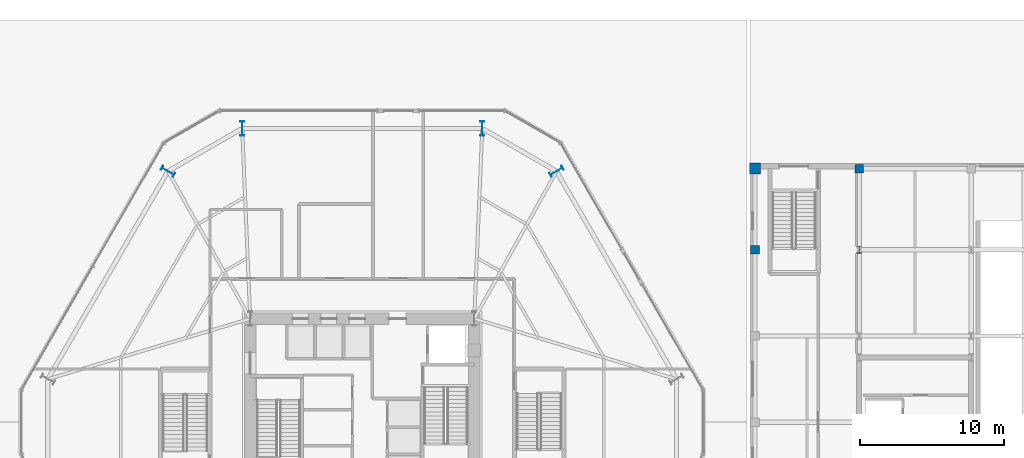
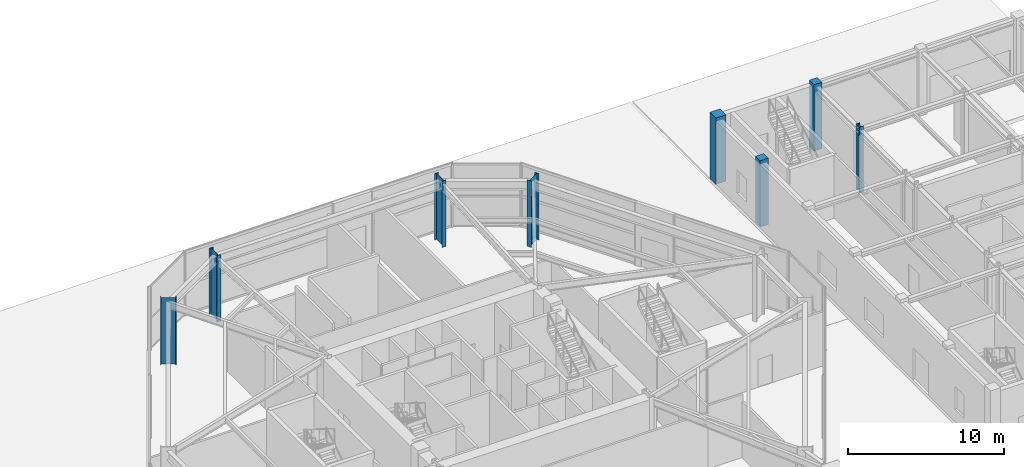
# One storey, part 3 of 26: 8 columns.
"""IFC4 building model written with IfcOpenShell, lengths in metres."""

import ifcopenshell
import ifcopenshell.guid

model = None  # the IFC model being written
_history = None  # IfcOwnerHistory: only IFC2X3 demands one
_inside = {}  # id of a spatial element -> (the spatial element, [elements in it])
_under = {}  # id of a project, library or spatial element -> (it, [spatial elements below it])
_declared = {}  # id of a project -> (the project, [libraries it declares])
_typed = {}  # id of a type object -> (the type object, [elements of that type])
_made_of = {}  # id of a material, layer set ... -> (it, [elements and type objects made of it])


def new_model(schema):
    """Start an empty IFC model of exactly this schema.

    Asked for "IFC4X3", IfcOpenShell would pick the latest addendum, in which some entities
    have other attributes; the version numbers below select the first issue.
    IFC2X3 requires an IfcOwnerHistory on every rooted entity: one is made here for all.
    """
    global model, _history
    if schema == "IFC4X3":
        model = ifcopenshell.file(schema_version=(4, 3, 0, 0))
    else:
        model = ifcopenshell.file(schema=schema)
    _inside.clear()
    _under.clear()
    _declared.clear()
    _typed.clear()
    _made_of.clear()
    _history = None
    if model.schema == "IFC2X3":
        org = make("IfcOrganization", Name="unknown")
        user = make(
            "IfcPersonAndOrganization",
            ThePerson=make("IfcPerson", FamilyName="unknown"),
            TheOrganization=org,
        )
        app = make(
            "IfcApplication",
            ApplicationDeveloper=org,
            Version="unknown",
            ApplicationFullName="unknown",
            ApplicationIdentifier="unknown",
        )
        _history = make(
            "IfcOwnerHistory",
            OwningUser=user,
            OwningApplication=app,
            ChangeAction="ADDED",
            CreationDate=0,
        )
    return model


def make(cls, **values):
    """One entity of the class cls with the attributes given. An attribute that is None is left unset."""
    return model.create_entity(
        cls, **{name: value for name, value in values.items() if value is not None}
    )


def rooted(cls, **values):
    """An entity with a GlobalId (a new one), such as an element, a storey or a relation."""
    return make(cls, GlobalId=ifcopenshell.guid.new(), OwnerHistory=_history, **values)


def si_unit(unit_type, name, prefix=None):
    """IfcSIUnit, for example si_unit("LENGTHUNIT", "METRE", prefix="MILLI")."""
    return make("IfcSIUnit", UnitType=unit_type, Prefix=prefix, Name=name)


def assignment(units):
    """IfcUnitAssignment: the units of a project."""
    return None if units is None else make("IfcUnitAssignment", Units=units)


def point(xyz):
    """IfcCartesianPoint."""
    return None if xyz is None else make("IfcCartesianPoint", Coordinates=xyz)


def direction(xyz):
    """IfcDirection."""
    return None if xyz is None else make("IfcDirection", DirectionRatios=xyz)


def frame(location, z_axis=None, x_axis=None):
    """IfcAxis2Placement3D, a coordinate frame: its origin and axes. An axis left out is left unset."""
    return make(
        "IfcAxis2Placement3D",
        Location=point(location),
        Axis=direction(z_axis),
        RefDirection=direction(x_axis),
    )


def frame_2d(location, x_axis=None):
    """IfcAxis2Placement2D, a coordinate frame in the plane: its origin and x axis."""
    return make(
        "IfcAxis2Placement2D", Location=point(location), RefDirection=direction(x_axis)
    )


def origin():
    """The frame at (0, 0, 0) with its axes left unset."""
    return frame((0.0, 0.0, 0.0))


def origin_2d():
    """The frame at (0, 0) in the plane with its x axis left unset."""
    return frame_2d((0.0, 0.0))


def place(relative_to, where):
    """IfcLocalPlacement: puts the frame where relative to a parent placement (None: the world)."""
    return make(
        "IfcLocalPlacement", PlacementRelTo=relative_to, RelativePlacement=where
    )


def context(
    kind, dimensions, precision=None, world=None, true_north=None, identifier=None
):
    """IfcGeometricRepresentationContext, for example the 3D "Model" context."""
    return make(
        "IfcGeometricRepresentationContext",
        ContextIdentifier=identifier,
        ContextType=kind,
        CoordinateSpaceDimension=dimensions,
        Precision=precision,
        WorldCoordinateSystem=world,
        TrueNorth=true_north,
    )


def subcontext(parent, identifier, kind, view, scale=None):
    """IfcGeometricRepresentationSubContext, for example "Body" below "Model"."""
    return make(
        "IfcGeometricRepresentationSubContext",
        ContextIdentifier=identifier,
        ContextType=kind,
        ParentContext=parent,
        TargetScale=scale,
        TargetView=view,
    )


def project(units=None, contexts=None):
    """IfcProject with its units and contexts."""
    return rooted(
        "IfcProject",
        Name="project",
        RepresentationContexts=contexts,
        UnitsInContext=assignment(units),
    )


def spatial(cls, under=None, at=None, **own):
    """A site, building, storey or space (cls), placed at a placement, below another one or the project."""
    s = rooted(cls, ObjectPlacement=at, **own)
    if under is not None:
        _under.setdefault(under.id(), (under, []))[1].append(s)
    return s


def profile(cls, at=None, kind="AREA", **sizes):
    """A parametric profile (cls). Its sizes go by their IFC names, for example OverallWidth=200.0."""
    return make(cls, ProfileType=kind, Position=at, **sizes)


def rectangle(**sizes):
    """IfcRectangleProfileDef."""
    return profile("IfcRectangleProfileDef", **sizes)


def i_section(**sizes):
    """IfcIShapeProfileDef."""
    return profile("IfcIShapeProfileDef", **sizes)


def extrude(swept, where, along, depth):
    """IfcExtrudedAreaSolid: the profile swept, set in the frame where, extruded along a direction by depth."""
    return make(
        "IfcExtrudedAreaSolid",
        SweptArea=swept,
        Position=where,
        ExtrudedDirection=direction(along),
        Depth=depth,
    )


def shape(context_of_items, identifier, shape_type, items):
    """IfcShapeRepresentation: the items that make up one representation, for example the "Body"."""
    return make(
        "IfcShapeRepresentation",
        ContextOfItems=context_of_items,
        RepresentationIdentifier=identifier,
        RepresentationType=shape_type,
        Items=items,
    )


def material(Name=None, Category=None):
    """IfcMaterial."""
    return make("IfcMaterial", Name=Name, Category=Category)


def material_profile(
    of_material, cross_section, Name=None, Category=None, Priority=None
):
    """IfcMaterialProfile: a cross section and its material."""
    return make(
        "IfcMaterialProfile",
        Name=Name,
        Material=of_material,
        Profile=cross_section,
        Priority=Priority,
        Category=Category,
    )


def profile_set(profiles, Name=None, composite=None):
    """IfcMaterialProfileSet."""
    return make(
        "IfcMaterialProfileSet",
        Name=Name,
        MaterialProfiles=profiles,
        CompositeProfile=composite,
    )


def made_of(thing, what):
    """Note that an element or type object is made of a material, layer set ...; save() writes the relation."""
    if what is not None:
        _made_of.setdefault(what.id(), (what, []))[1].append(thing)
    return thing


def type_object(cls, material=None, **own):
    """A type object (cls), such as IfcWallType, which elements share."""
    return made_of(rooted(cls, **own), material)


def element(
    cls,
    number,
    at=None,
    inside=None,
    cuts=None,
    type_object=None,
    material=None,
    context=None,
    identifier="Body",
    shape_type=None,
    held_by="IfcProductDefinitionShape",
    body=None,
    shapes=None,
    **own,
):
    """One element of the class cls, such as IfcWall. Its Tag is "e" and its number.

    at: its placement. inside: the storey or other place that contains it. cuts: it is an
    opening in that element (IfcRelVoidsElement). A single representation is given by context,
    identifier, shape_type and body (its items); several are given by shapes. held_by: the class
    of the entity that holds the representations. save() writes the other relations.
    """
    e = rooted(cls, Tag="e%d" % number, ObjectPlacement=at, **own)
    if body is not None:
        shapes = [shape(context, identifier, shape_type, body)]
    if shapes is not None:
        e.Representation = make(held_by, Representations=shapes)
    if inside is not None:
        _inside.setdefault(inside.id(), (inside, []))[1].append(e)
    if cuts is not None:
        rooted(
            "IfcRelVoidsElement", RelatingBuildingElement=cuts, RelatedOpeningElement=e
        )
    if type_object is not None:
        _typed.setdefault(type_object.id(), (type_object, []))[1].append(e)
    return made_of(e, material)


def aggregate(whole, parts):
    """IfcRelAggregates: a whole, such as a stair, and the parts it consists of."""
    return rooted("IfcRelAggregates", RelatingObject=whole, RelatedObjects=parts)


def save(model, path):
    """Write the relations noted so far, then the file.

    IfcRelAggregates (storeys below a building ...), IfcRelContainedInSpatialStructure (elements
    in a storey), IfcRelDefinesByType, IfcRelAssociatesMaterial and IfcRelDeclares: one each for
    every whole, place, type object, material and project.
    """
    for whole, parts in _under.values():
        aggregate(whole, parts)
    for where, things in _inside.values():
        rooted(
            "IfcRelContainedInSpatialStructure",
            RelatedElements=things,
            RelatingStructure=where,
        )
    for kind, things in _typed.values():
        rooted("IfcRelDefinesByType", RelatedObjects=things, RelatingType=kind)
    for what, things in _made_of.values():
        rooted("IfcRelAssociatesMaterial", RelatedObjects=things, RelatingMaterial=what)
    for by, libraries in _declared.values():
        rooted("IfcRelDeclares", RelatingContext=by, RelatedDefinitions=libraries)
    model.write(path)


model = new_model("IFC4")

# Units and contexts
model_context = context("Model", 3, precision=1e-05, world=origin(), true_north=direction((0.0, 1.0)))
body_context = subcontext(model_context, "Body", "Model", "MODEL_VIEW")
ifc_project = project(units=[si_unit("LENGTHUNIT", "METRE"), si_unit("AREAUNIT", "SQUARE_METRE"), si_unit("VOLUMEUNIT", "CUBIC_METRE"), si_unit("PLANEANGLEUNIT", "RADIAN"), si_unit("MASSUNIT", "GRAM", prefix="KILO")], contexts=[model_context])

# Site, building, storey
site_placement = place(None, origin())
site = spatial("IfcSite", under=ifc_project, at=site_placement, CompositionType="ELEMENT")
building_placement = place(site_placement, origin())
building = spatial("IfcBuilding", under=site, at=building_placement, Name="Kranzbogen Civic Tower", CompositionType="ELEMENT")
storey_placement = place(building_placement, origin())
storey = spatial("IfcBuildingStorey", under=building, at=storey_placement, Name="L00", CompositionType="ELEMENT", Elevation=0.0)

# Columns
ifc_material_1 = material(Name="Steel S355", Category="steel")
ifc_material_profile_1 = material_profile(ifc_material_1, i_section(OverallWidth=0.300048828125, OverallDepth=0.449951171875, WebThickness=0.013916015625, FlangeThickness=0.02587890625, at=origin_2d()), Name="HEB 450")
ifc_profile_set_1 = profile_set([ifc_material_profile_1], Name="Steel S355")
column_type_1 = type_object("IfcColumnType", Name="Structural Column HEB 450", PredefinedType="COLUMN", material=ifc_profile_set_1)
column_1_placement = place(storey_placement, frame((59.60009765625, 37.0, 0.0), z_axis=(0.0, 0.0, 1.0), x_axis=(1.0, 0.0, 0.0)))
element("IfcColumn", 1, at=column_1_placement, inside=storey, type_object=column_type_1, Name="L00 Health Centre column 11/G", PredefinedType="COLUMN", context=body_context, shape_type="SweptSolid", body=[
    extrude(i_section(OverallWidth=0.300048828125, OverallDepth=0.449951171875, WebThickness=0.013916015625, FlangeThickness=0.02587890625, at=origin_2d()), origin(), (0.0, 0.0, 1.0), 5.199951171875),
])
ifc_material_2 = material(Name="Steel S460", Category="steel")
ifc_material_profile_2 = material_profile(ifc_material_2, i_section(OverallWidth=0.302001953125, OverallDepth=1.008056640625, WebThickness=0.02099609375, FlangeThickness=0.0400390625, at=origin_2d()), Name="HEM 1000")
ifc_profile_set_2 = profile_set([ifc_material_profile_2], Name="Steel S460")
column_type_2 = type_object("IfcColumnType", Name="Structural Column HEM 1000", PredefinedType="COLUMN", material=ifc_profile_set_2)
for number, where, z_axis, x_axis, name in (
    (2, (38.531005859375, 42.464111328125, 0.0), (0.0, 0.0, 1.0), (-0.5, 0.866025403784, 0.0), "L00 tower perimeter tube column 02"),
    (3, (33.35888671875, 45.449951171875, 0.0), (0.0, 0.0, 1.0), (1.0, 0.0, 0.0), "L00 tower perimeter tube column 03"),
    (4, (16.64111328125, 45.449951171875, 0.0), (0.0, 0.0, 1.0), (1.0, 0.0, 0.0), "L00 tower perimeter tube column 04"),
    (5, (11.468994140625, 42.464111328125, 0.0), (0.0, 0.0, 1.0), (0.5, 0.866025403784, 0.0), "L00 tower perimeter tube column 05"),
):
    element("IfcColumn", number, at=place(storey_placement, frame(where, z_axis=z_axis, x_axis=x_axis)), inside=storey, type_object=column_type_2, Name=name, PredefinedType="COLUMN", context=body_context, shape_type="SweptSolid", body=[
        extrude(i_section(OverallWidth=0.302001953125, OverallDepth=1.008056640625, WebThickness=0.02099609375, FlangeThickness=0.0400390625, at=origin_2d()), origin(), (0.0, 0.0, 1.0), 5.199951171875),
    ])
ifc_material_3 = material(Name="Concrete C40/50", Category="concrete")
ifc_material_profile_3 = material_profile(ifc_material_3, rectangle(XDim=0.60009765625, YDim=0.60009765625, at=origin_2d()), Name="RC 600x600")
ifc_profile_set_3 = profile_set([ifc_material_profile_3], Name="Concrete C40/50")
column_type_3 = type_object("IfcColumnType", Name="Structural Column RC 600x600", PredefinedType="COLUMN", material=ifc_profile_set_3)
for number, where, z_axis, x_axis, name in (
    (6, (52.35009765625, 37.0, 0.0), (0.0, 0.0, 1.0), (1.0, 0.0, 0.0), "L00 Health Centre column 10/G"),
    (7, (59.60009765625, 42.64990234375, 0.0), (0.0, 0.0, 1.0), (1.0, 0.0, 0.0), "L00 Health Centre column 11/H"),
):
    element("IfcColumn", number, at=place(storey_placement, frame(where, z_axis=z_axis, x_axis=x_axis)), inside=storey, type_object=column_type_3, Name=name, PredefinedType="COLUMN", context=body_context, shape_type="SweptSolid", body=[
        extrude(rectangle(XDim=0.60009765625, YDim=0.60009765625, at=origin_2d()), origin(), (0.0, 0.0, 1.0), 5.199951171875),
    ])
ifc_material_profile_4 = material_profile(ifc_material_3, rectangle(XDim=0.75, YDim=0.75, at=origin_2d()), Name="RC 750x750")
ifc_profile_set_4 = profile_set([ifc_material_profile_4], Name="Concrete C40/50")
column_type_4 = type_object("IfcColumnType", Name="Structural Column RC 750x750", PredefinedType="COLUMN", material=ifc_profile_set_4)
column_2_placement = place(storey_placement, frame((52.35009765625, 42.64990234375, 0.0), z_axis=(0.0, 0.0, 1.0), x_axis=(1.0, 0.0, 0.0)))
element("IfcColumn", 8, at=column_2_placement, inside=storey, type_object=column_type_4, Name="L00 Health Centre column 10/H", PredefinedType="COLUMN", context=body_context, shape_type="SweptSolid", body=[
    extrude(rectangle(XDim=0.75, YDim=0.75, at=origin_2d()), origin(), (0.0, 0.0, 1.0), 5.199951171875),
])

save(model, "model.ifc")
